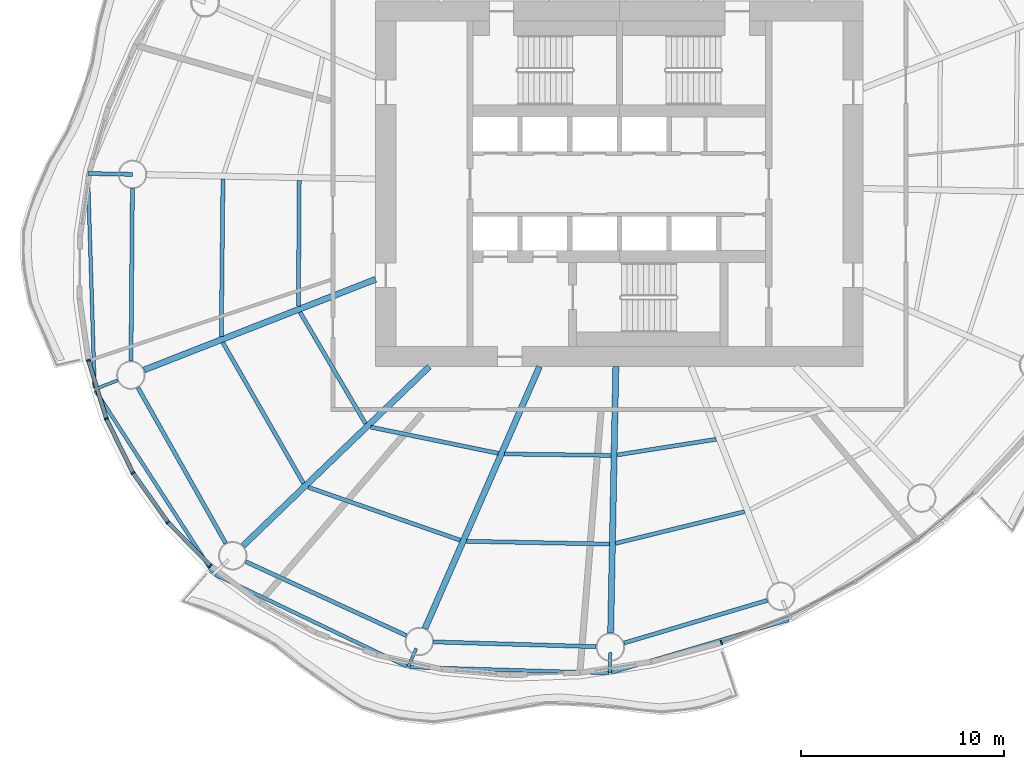
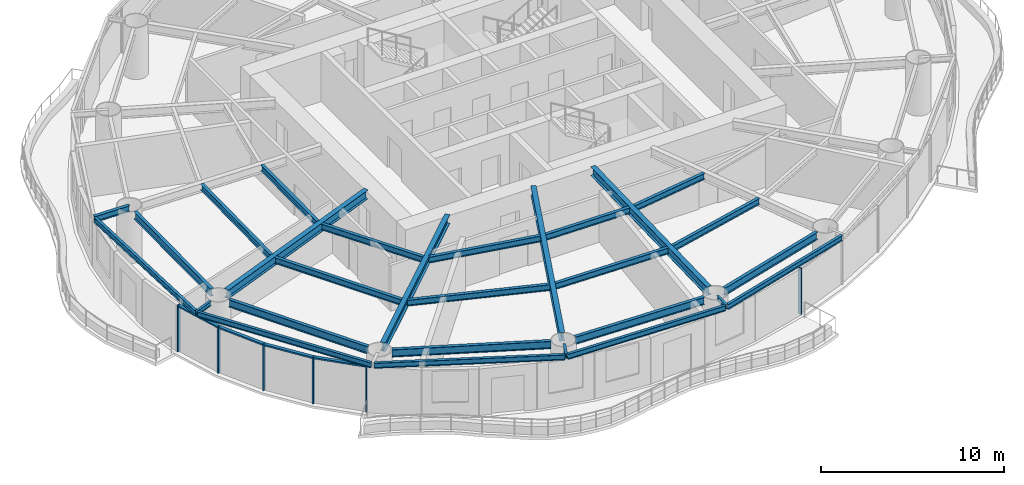
# One storey, part 2 of 14: 28 beams, 10 members, 5 elements without a shape of their own.
"""IFC4 building model written with IfcOpenShell, lengths in metres."""

import ifcopenshell
import ifcopenshell.guid

model = None  # the IFC model being written
_history = None  # IfcOwnerHistory: only IFC2X3 demands one
_inside = {}  # id of a spatial element -> (the spatial element, [elements in it])
_under = {}  # id of a project, library or spatial element -> (it, [spatial elements below it])
_declared = {}  # id of a project -> (the project, [libraries it declares])
_typed = {}  # id of a type object -> (the type object, [elements of that type])
_made_of = {}  # id of a material, layer set ... -> (it, [elements and type objects made of it])


def new_model(schema):
    """Start an empty IFC model of exactly this schema.

    Asked for "IFC4X3", IfcOpenShell would pick the latest addendum, in which some entities
    have other attributes; the version numbers below select the first issue.
    IFC2X3 requires an IfcOwnerHistory on every rooted entity: one is made here for all.
    """
    global model, _history
    if schema == "IFC4X3":
        model = ifcopenshell.file(schema_version=(4, 3, 0, 0))
    else:
        model = ifcopenshell.file(schema=schema)
    _inside.clear()
    _under.clear()
    _declared.clear()
    _typed.clear()
    _made_of.clear()
    _history = None
    if model.schema == "IFC2X3":
        org = make("IfcOrganization", Name="unknown")
        user = make(
            "IfcPersonAndOrganization",
            ThePerson=make("IfcPerson", FamilyName="unknown"),
            TheOrganization=org,
        )
        app = make(
            "IfcApplication",
            ApplicationDeveloper=org,
            Version="unknown",
            ApplicationFullName="unknown",
            ApplicationIdentifier="unknown",
        )
        _history = make(
            "IfcOwnerHistory",
            OwningUser=user,
            OwningApplication=app,
            ChangeAction="ADDED",
            CreationDate=0,
        )
    return model


def make(cls, **values):
    """One entity of the class cls with the attributes given. An attribute that is None is left unset."""
    return model.create_entity(
        cls, **{name: value for name, value in values.items() if value is not None}
    )


def rooted(cls, **values):
    """An entity with a GlobalId (a new one), such as an element, a storey or a relation."""
    return make(cls, GlobalId=ifcopenshell.guid.new(), OwnerHistory=_history, **values)


def si_unit(unit_type, name, prefix=None):
    """IfcSIUnit, for example si_unit("LENGTHUNIT", "METRE", prefix="MILLI")."""
    return make("IfcSIUnit", UnitType=unit_type, Prefix=prefix, Name=name)


def assignment(units):
    """IfcUnitAssignment: the units of a project."""
    return None if units is None else make("IfcUnitAssignment", Units=units)


def point(xyz):
    """IfcCartesianPoint."""
    return None if xyz is None else make("IfcCartesianPoint", Coordinates=xyz)


def direction(xyz):
    """IfcDirection."""
    return None if xyz is None else make("IfcDirection", DirectionRatios=xyz)


def frame(location, z_axis=None, x_axis=None):
    """IfcAxis2Placement3D, a coordinate frame: its origin and axes. An axis left out is left unset."""
    return make(
        "IfcAxis2Placement3D",
        Location=point(location),
        Axis=direction(z_axis),
        RefDirection=direction(x_axis),
    )


def frame_2d(location, x_axis=None):
    """IfcAxis2Placement2D, a coordinate frame in the plane: its origin and x axis."""
    return make(
        "IfcAxis2Placement2D", Location=point(location), RefDirection=direction(x_axis)
    )


def origin():
    """The frame at (0, 0, 0) with its axes left unset."""
    return frame((0.0, 0.0, 0.0))


def origin_2d():
    """The frame at (0, 0) in the plane with its x axis left unset."""
    return frame_2d((0.0, 0.0))


def place(relative_to, where):
    """IfcLocalPlacement: puts the frame where relative to a parent placement (None: the world)."""
    return make(
        "IfcLocalPlacement", PlacementRelTo=relative_to, RelativePlacement=where
    )


def context(
    kind, dimensions, precision=None, world=None, true_north=None, identifier=None
):
    """IfcGeometricRepresentationContext, for example the 3D "Model" context."""
    return make(
        "IfcGeometricRepresentationContext",
        ContextIdentifier=identifier,
        ContextType=kind,
        CoordinateSpaceDimension=dimensions,
        Precision=precision,
        WorldCoordinateSystem=world,
        TrueNorth=true_north,
    )


def subcontext(parent, identifier, kind, view, scale=None):
    """IfcGeometricRepresentationSubContext, for example "Body" below "Model"."""
    return make(
        "IfcGeometricRepresentationSubContext",
        ContextIdentifier=identifier,
        ContextType=kind,
        ParentContext=parent,
        TargetScale=scale,
        TargetView=view,
    )


def project(units=None, contexts=None):
    """IfcProject with its units and contexts."""
    return rooted(
        "IfcProject",
        Name="project",
        RepresentationContexts=contexts,
        UnitsInContext=assignment(units),
    )


def spatial(cls, under=None, at=None, **own):
    """A site, building, storey or space (cls), placed at a placement, below another one or the project."""
    s = rooted(cls, ObjectPlacement=at, **own)
    if under is not None:
        _under.setdefault(under.id(), (under, []))[1].append(s)
    return s


def profile(cls, at=None, kind="AREA", **sizes):
    """A parametric profile (cls). Its sizes go by their IFC names, for example OverallWidth=200.0."""
    return make(cls, ProfileType=kind, Position=at, **sizes)


def rectangle(**sizes):
    """IfcRectangleProfileDef."""
    return profile("IfcRectangleProfileDef", **sizes)


def i_section(**sizes):
    """IfcIShapeProfileDef."""
    return profile("IfcIShapeProfileDef", **sizes)


def extrude(swept, where, along, depth):
    """IfcExtrudedAreaSolid: the profile swept, set in the frame where, extruded along a direction by depth."""
    return make(
        "IfcExtrudedAreaSolid",
        SweptArea=swept,
        Position=where,
        ExtrudedDirection=direction(along),
        Depth=depth,
    )


def shape(context_of_items, identifier, shape_type, items):
    """IfcShapeRepresentation: the items that make up one representation, for example the "Body"."""
    return make(
        "IfcShapeRepresentation",
        ContextOfItems=context_of_items,
        RepresentationIdentifier=identifier,
        RepresentationType=shape_type,
        Items=items,
    )


def material(Name=None, Category=None):
    """IfcMaterial."""
    return make("IfcMaterial", Name=Name, Category=Category)


def material_profile(
    of_material, cross_section, Name=None, Category=None, Priority=None
):
    """IfcMaterialProfile: a cross section and its material."""
    return make(
        "IfcMaterialProfile",
        Name=Name,
        Material=of_material,
        Profile=cross_section,
        Priority=Priority,
        Category=Category,
    )


def profile_set(profiles, Name=None, composite=None):
    """IfcMaterialProfileSet."""
    return make(
        "IfcMaterialProfileSet",
        Name=Name,
        MaterialProfiles=profiles,
        CompositeProfile=composite,
    )


def made_of(thing, what):
    """Note that an element or type object is made of a material, layer set ...; save() writes the relation."""
    if what is not None:
        _made_of.setdefault(what.id(), (what, []))[1].append(thing)
    return thing


def type_object(cls, material=None, **own):
    """A type object (cls), such as IfcWallType, which elements share."""
    return made_of(rooted(cls, **own), material)


def element(
    cls,
    number,
    at=None,
    inside=None,
    cuts=None,
    type_object=None,
    material=None,
    context=None,
    identifier="Body",
    shape_type=None,
    held_by="IfcProductDefinitionShape",
    body=None,
    shapes=None,
    **own,
):
    """One element of the class cls, such as IfcWall. Its Tag is "e" and its number.

    at: its placement. inside: the storey or other place that contains it. cuts: it is an
    opening in that element (IfcRelVoidsElement). A single representation is given by context,
    identifier, shape_type and body (its items); several are given by shapes. held_by: the class
    of the entity that holds the representations. save() writes the other relations.
    """
    e = rooted(cls, Tag="e%d" % number, ObjectPlacement=at, **own)
    if body is not None:
        shapes = [shape(context, identifier, shape_type, body)]
    if shapes is not None:
        e.Representation = make(held_by, Representations=shapes)
    if inside is not None:
        _inside.setdefault(inside.id(), (inside, []))[1].append(e)
    if cuts is not None:
        rooted(
            "IfcRelVoidsElement", RelatingBuildingElement=cuts, RelatedOpeningElement=e
        )
    if type_object is not None:
        _typed.setdefault(type_object.id(), (type_object, []))[1].append(e)
    return made_of(e, material)


def aggregate(whole, parts):
    """IfcRelAggregates: a whole, such as a stair, and the parts it consists of."""
    return rooted("IfcRelAggregates", RelatingObject=whole, RelatedObjects=parts)


def save(model, path):
    """Write the relations noted so far, then the file.

    IfcRelAggregates (storeys below a building ...), IfcRelContainedInSpatialStructure (elements
    in a storey), IfcRelDefinesByType, IfcRelAssociatesMaterial and IfcRelDeclares: one each for
    every whole, place, type object, material and project.
    """
    for whole, parts in _under.values():
        aggregate(whole, parts)
    for where, things in _inside.values():
        rooted(
            "IfcRelContainedInSpatialStructure",
            RelatedElements=things,
            RelatingStructure=where,
        )
    for kind, things in _typed.values():
        rooted("IfcRelDefinesByType", RelatedObjects=things, RelatingType=kind)
    for what, things in _made_of.values():
        rooted("IfcRelAssociatesMaterial", RelatedObjects=things, RelatingMaterial=what)
    for by, libraries in _declared.values():
        rooted("IfcRelDeclares", RelatingContext=by, RelatedDefinitions=libraries)
    model.write(path)


model = new_model("IFC4")

# Units and contexts
model_context = context("Model", 3, precision=1e-05, world=origin(), true_north=direction((0.0, 1.0)))
body_context = subcontext(model_context, "Body", "Model", "MODEL_VIEW")
ifc_project = project(units=[si_unit("LENGTHUNIT", "METRE"), si_unit("AREAUNIT", "SQUARE_METRE"), si_unit("VOLUMEUNIT", "CUBIC_METRE"), si_unit("PLANEANGLEUNIT", "RADIAN"), si_unit("MASSUNIT", "GRAM", prefix="KILO")], contexts=[model_context])

# Site, building, storey
site_placement = place(None, origin())
site = spatial("IfcSite", under=ifc_project, at=site_placement, CompositionType="ELEMENT")
building_placement = place(site_placement, origin())
building = spatial("IfcBuilding", under=site, at=building_placement, Name="Vermilion Reach Broadcast Tower", CompositionType="ELEMENT")
storey_placement = place(building_placement, frame((0.0, 0.0, 157.800048828125)))
storey = spatial("IfcBuildingStorey", under=building, at=storey_placement, Name="L37", CompositionType="ELEMENT", Elevation=157.800048828125)

# Beams
ifc_material_1 = material(Name="Steel S355J2", Category="steel")
ifc_material_profile_1 = material_profile(ifc_material_1, i_section(OverallWidth=0.175048828125, OverallDepth=0.35009765625, WebThickness=0.007080078125, FlangeThickness=0.010986328125, at=origin_2d()), Name="S355J2 HN 350x175x7x11")
ifc_profile_set_1 = profile_set([ifc_material_profile_1], Name="Steel S355J2")
beam_type_1 = type_object("IfcBeamType", Name="EB3 HN 350x175x7x11", PredefinedType="BEAM", material=ifc_profile_set_1)
beam_1_placement = place(storey_placement, frame((-32.15087890625, 0.40673828125, 3.27490234375), z_axis=(0.031222349164, -0.99951246361, 0.0), x_axis=(0.99951246361, 0.031222349164, 0.0)))
element("IfcBeam", 1, at=beam_1_placement, inside=storey, type_object=beam_type_1, Name="Edge beam EB3-07", PredefinedType="BEAM", context=body_context, shape_type="SweptSolid", body=[
    extrude(i_section(OverallWidth=0.175048828125, OverallDepth=0.35009765625, WebThickness=0.007080078125, FlangeThickness=0.010986328125, at=origin_2d()), origin(), (0.0, 0.0, 1.0), 10.44677734375),
])
beam_2_placement = place(storey_placement, frame((-31.78076171875, -10.1787109375, 3.27490234375), z_axis=(0.542314647687, -0.840175471497, 0.0), x_axis=(0.840175471497, 0.542314647687, 0.0)))
element("IfcBeam", 2, at=beam_2_placement, inside=storey, type_object=beam_type_1, Name="Edge beam EB3-08", PredefinedType="BEAM", context=body_context, shape_type="SweptSolid", body=[
    extrude(i_section(OverallWidth=0.175048828125, OverallDepth=0.35009765625, WebThickness=0.007080078125, FlangeThickness=0.010986328125, at=origin_2d()), origin(), (0.0, 0.0, 1.0), 10.660400390625),
])
beam_3_placement = place(storey_placement, frame((-25.885986328125, -19.234130859375, 3.27490234375), z_axis=(0.901823995438, -0.432103553853, 0.0), x_axis=(0.432103553853, 0.901823995438, 0.0)))
element("IfcBeam", 3, at=beam_3_placement, inside=storey, type_object=beam_type_1, Name="Edge beam EB3-09", PredefinedType="BEAM", context=body_context, shape_type="SweptSolid", body=[
    extrude(i_section(OverallWidth=0.175048828125, OverallDepth=0.35009765625, WebThickness=0.007080078125, FlangeThickness=0.010986328125, at=origin_2d()), origin(), (0.0, 0.0, 1.0), 10.44921875),
])
beam_4_placement = place(storey_placement, frame((-16.31396484375, -23.783935546875, 3.27490234375), z_axis=(0.999559862567, -0.029666161605, 0.0), x_axis=(0.029666161605, 0.999559862567, 0.0)))
element("IfcBeam", 4, at=beam_4_placement, inside=storey, type_object=beam_type_1, Name="Edge beam EB3-10", PredefinedType="BEAM", context=body_context, shape_type="SweptSolid", body=[
    extrude(i_section(OverallWidth=0.175048828125, OverallDepth=0.35009765625, WebThickness=0.007080078125, FlangeThickness=0.010986328125, at=origin_2d()), origin(), (0.0, 0.0, 1.0), 9.77685546875),
])
beam_5_placement = place(storey_placement, frame((-6.39111328125, -24.0537109375, 3.27490234375), z_axis=(0.958570041505, 0.284856938707, 0.0), x_axis=(-0.284856938707, 0.958570041505, 0.0)))
element("IfcBeam", 5, at=beam_5_placement, inside=storey, type_object=beam_type_1, Name="Edge beam EB3-11", PredefinedType="BEAM", context=body_context, shape_type="SweptSolid", body=[
    extrude(i_section(OverallWidth=0.175048828125, OverallDepth=0.35009765625, WebThickness=0.007080078125, FlangeThickness=0.010986328125, at=origin_2d()), origin(), (0.0, 0.0, 1.0), 9.09423828125),
])
ifc_material_2 = material(Name="Steel S355J2", Category="steel")
ifc_material_profile_2 = material_profile(ifc_material_2, i_section(OverallWidth=0.300048828125, OverallDepth=0.587890625, WebThickness=0.011962890625, FlangeThickness=0.02001953125, at=origin_2d()), Name="S355J2 HM 588x300x12x20")
ifc_profile_set_2 = profile_set([ifc_material_profile_2], Name="Steel S355J2")
beam_type_2 = type_object("IfcBeamType", Name="G3 HM 588x300x12x20", PredefinedType="BEAM", material=ifc_profile_set_2)
beam_6_placement = place(storey_placement, frame((-18.0, -4.700439453125, 3.156005859375), z_axis=(-0.931124635714, -0.364701128004, 0.0), x_axis=(0.364701128004, -0.931124635714, 0.0)))
element("IfcBeam", 6, at=beam_6_placement, inside=storey, type_object=beam_type_2, Name="Girder G3-08", PredefinedType="BEAM", context=body_context, shape_type="SweptSolid", body=[
    extrude(i_section(OverallWidth=0.300048828125, OverallDepth=0.587890625, WebThickness=0.011962890625, FlangeThickness=0.02001953125, at=origin_2d()), origin(), (0.0, 0.0, 1.0), 12.231201171875),
])
beam_7_placement = place(storey_placement, frame((-15.355712890625, -9.0, 3.156005859375), z_axis=(-0.720670374476, -0.693277874559, 0.0), x_axis=(0.693277874559, -0.720670374476, 0.0)))
element("IfcBeam", 7, at=beam_7_placement, inside=storey, type_object=beam_type_2, Name="Girder G3-09", PredefinedType="BEAM", context=body_context, shape_type="SweptSolid", body=[
    extrude(i_section(OverallWidth=0.300048828125, OverallDepth=0.587890625, WebThickness=0.011962890625, FlangeThickness=0.02001953125, at=origin_2d()), origin(), (0.0, 0.0, 1.0), 12.718505859375),
])
beam_8_placement = place(storey_placement, frame((-9.933837890625, -9.0, 3.156005859375), z_axis=(-0.400519113205, -0.916288404356, 0.0), x_axis=(0.916288404356, -0.400519113205, 0.0)))
element("IfcBeam", 8, at=beam_8_placement, inside=storey, type_object=beam_type_2, Name="Girder G3-10", PredefinedType="BEAM", context=body_context, shape_type="SweptSolid", body=[
    extrude(i_section(OverallWidth=0.300048828125, OverallDepth=0.587890625, WebThickness=0.011962890625, FlangeThickness=0.02001953125, at=origin_2d()), origin(), (0.0, 0.0, 1.0), 14.0595703125),
])
beam_9_placement = place(storey_placement, frame((-6.17431640625, -9.0, 3.156005859375), z_axis=(-0.019378372481, -0.99981222171, 0.0), x_axis=(0.99981222171, -0.019378372481, 0.0)))
element("IfcBeam", 9, at=beam_9_placement, inside=storey, type_object=beam_type_2, Name="Girder G3-11", PredefinedType="BEAM", context=body_context, shape_type="SweptSolid", body=[
    extrude(i_section(OverallWidth=0.300048828125, OverallDepth=0.587890625, WebThickness=0.011962890625, FlangeThickness=0.02001953125, at=origin_2d()), origin(), (0.0, 0.0, 1.0), 13.1025390625),
])
ifc_material_3 = material(Name="Steel S355J2", Category="steel")
ifc_material_profile_3 = material_profile(ifc_material_3, i_section(OverallWidth=0.199951171875, OverallDepth=0.39990234375, WebThickness=0.008056640625, FlangeThickness=0.012939453125, at=origin_2d()), Name="S355J2 HN 400x200x8x13")
ifc_profile_set_3 = profile_set([ifc_material_profile_3], Name="Steel S355J2")
beam_type_3 = type_object("IfcBeamType", Name="GC3 HN 400x200x8x13", PredefinedType="BEAM", material=ifc_profile_set_3)
beam_10_placement = place(storey_placement, frame((-29.95947265625, 0.464111328125, 3.25), z_axis=(-0.999810547688, 0.019464550656, 0.0), x_axis=(-0.019464550656, -0.999810547688, 0.0)))
element("IfcBeam", 10, at=beam_10_placement, inside=storey, type_object=beam_type_3, Name="Cantilever girder GC3-07", PredefinedType="BEAM", context=body_context, shape_type="SweptSolid", body=[
    extrude(i_section(OverallWidth=0.199951171875, OverallDepth=0.39990234375, WebThickness=0.008056640625, FlangeThickness=0.012939453125, at=origin_2d()), origin(), (0.0, 0.0, 1.0), 2.195068359375),
])
ifc_material_4 = material(Name="Steel S355J2", Category="steel")
ifc_material_profile_4 = material_profile(ifc_material_4, i_section(OverallWidth=0.14990234375, OverallDepth=0.300048828125, WebThickness=0.006591796875, FlangeThickness=0.009033203125, at=origin_2d()), Name="S355J2 HN 300x150x6.5x9")
ifc_profile_set_4 = profile_set([ifc_material_profile_4], Name="Steel S355J2")
beam_type_4 = type_object("IfcBeamType", Name="GS3 HN 300x150x6.5x9", PredefinedType="BEAM", material=ifc_profile_set_4)
beam_11_placement = place(storey_placement, frame((-30.6923828125, -9.671875, 3.300048828125), z_axis=(-0.931103198351, -0.364755855361, 0.0), x_axis=(0.364755855361, -0.931103198351, 0.0)))
element("IfcBeam", 11, at=beam_11_placement, inside=storey, type_object=beam_type_4, Name="Cantilever stub GS3-08", PredefinedType="BEAM", context=body_context, shape_type="SweptSolid", body=[
    extrude(i_section(OverallWidth=0.14990234375, OverallDepth=0.300048828125, WebThickness=0.006591796875, FlangeThickness=0.009033203125, at=origin_2d()), origin(), (0.0, 0.0, 1.0), 1.21337890625),
])
beam_12_placement = place(storey_placement, frame((-15.994384765625, -22.865234375, 3.300048828125), z_axis=(-0.400332168209, -0.91637009723, 0.0), x_axis=(0.91637009723, -0.400332168209, 0.0)))
element("IfcBeam", 12, at=beam_12_placement, inside=storey, type_object=beam_type_4, Name="Cantilever stub GS3-10", PredefinedType="BEAM", context=body_context, shape_type="SweptSolid", body=[
    extrude(i_section(OverallWidth=0.14990234375, OverallDepth=0.300048828125, WebThickness=0.006591796875, FlangeThickness=0.009033203125, at=origin_2d()), origin(), (0.0, 0.0, 1.0), 1.000244140625),
])
beam_13_placement = place(storey_placement, frame((-6.447021484375, -23.076416015625, 3.300048828125), z_axis=(-0.019532292583, -0.999809226576, 0.0), x_axis=(0.999809226576, -0.019532292583, 0.0)))
element("IfcBeam", 13, at=beam_13_placement, inside=storey, type_object=beam_type_4, Name="Cantilever stub GS3-11", PredefinedType="BEAM", context=body_context, shape_type="SweptSolid", body=[
    extrude(i_section(OverallWidth=0.14990234375, OverallDepth=0.300048828125, WebThickness=0.006591796875, FlangeThickness=0.009033203125, at=origin_2d()), origin(), (0.0, 0.0, 1.0), 1.0),
])
ifc_material_5 = material(Name="Steel S355J2", Category="steel")
ifc_material_profile_5 = material_profile(ifc_material_5, i_section(OverallWidth=0.199951171875, OverallDepth=0.5, WebThickness=0.010009765625, FlangeThickness=0.01611328125, at=origin_2d()), Name="S355J2 HN 500x200x10x16")
ifc_profile_set_5 = profile_set([ifc_material_profile_5], Name="Steel S355J2")
beam_type_5 = type_object("IfcBeamType", Name="RB3 HN 500x200x10x16", PredefinedType="BEAM", material=ifc_profile_set_5)
beam_14_placement = place(storey_placement, frame((-29.965087890625, -0.23583984375, 3.199951171875), z_axis=(-0.008204232036, -0.999966344722, 0.0), x_axis=(0.999966344722, -0.008204232036, 0.0)))
element("IfcBeam", 14, at=beam_14_placement, inside=storey, type_object=beam_type_5, Name="Ring beam RB3-07", PredefinedType="BEAM", context=body_context, shape_type="SweptSolid", body=[
    extrude(i_section(OverallWidth=0.199951171875, OverallDepth=0.5, WebThickness=0.010009765625, FlangeThickness=0.01611328125, at=origin_2d()), origin(), (0.0, 0.0, 1.0), 8.48095703125),
])
beam_15_placement = place(storey_placement, frame((-29.696533203125, -10.026123046875, 3.199951171875), z_axis=(0.491466825026, -0.870896296869, 0.0), x_axis=(0.870896296869, 0.491466825026, 0.0)))
element("IfcBeam", 15, at=beam_15_placement, inside=storey, type_object=beam_type_5, Name="Ring beam RB3-08", PredefinedType="BEAM", context=body_context, shape_type="SweptSolid", body=[
    extrude(i_section(OverallWidth=0.199951171875, OverallDepth=0.5, WebThickness=0.010009765625, FlangeThickness=0.01611328125, at=origin_2d()), origin(), (0.0, 0.0, 1.0), 8.803466796875),
])
beam_16_placement = place(storey_placement, frame((-24.389892578125, -18.594970703125, 3.199951171875), z_axis=(0.908546241769, -0.417784306272, 0.0), x_axis=(0.417784306272, 0.908546241769, 0.0)))
element("IfcBeam", 16, at=beam_16_placement, inside=storey, type_object=beam_type_5, Name="Ring beam RB3-09", PredefinedType="BEAM", context=body_context, shape_type="SweptSolid", body=[
    extrude(i_section(OverallWidth=0.199951171875, OverallDepth=0.5, WebThickness=0.010009765625, FlangeThickness=0.01611328125, at=origin_2d()), origin(), (0.0, 0.0, 1.0), 8.704833984375),
])
beam_17_placement = place(storey_placement, frame((-15.1455078125, -22.544677734375, 3.199951171875), z_axis=(0.999569781146, -0.029330063427, 0.0), x_axis=(0.029330063427, 0.999569781146, 0.0)))
element("IfcBeam", 17, at=beam_17_placement, inside=storey, type_object=beam_type_5, Name="Ring beam RB3-10", PredefinedType="BEAM", context=body_context, shape_type="SweptSolid", body=[
    extrude(i_section(OverallWidth=0.199951171875, OverallDepth=0.5, WebThickness=0.010009765625, FlangeThickness=0.01611328125, at=origin_2d()), origin(), (0.0, 0.0, 1.0), 8.007568359375),
])
beam_18_placement = place(storey_placement, frame((-5.770751953125, -22.60009765625, 3.199951171875), z_axis=(0.958416970322, 0.285371531516, 0.0), x_axis=(-0.285371531516, 0.958416970322, 0.0)))
element("IfcBeam", 18, at=beam_18_placement, inside=storey, type_object=beam_type_5, Name="Ring beam RB3-11", PredefinedType="BEAM", context=body_context, shape_type="SweptSolid", body=[
    extrude(i_section(OverallWidth=0.199951171875, OverallDepth=0.5, WebThickness=0.010009765625, FlangeThickness=0.01611328125, at=origin_2d()), origin(), (0.0, 0.0, 1.0), 7.357421875),
])
ifc_material_6 = material(Name="Steel S355J2", Category="steel")
ifc_material_profile_6 = material_profile(ifc_material_6, i_section(OverallWidth=0.199951171875, OverallDepth=0.39990234375, WebThickness=0.008056640625, FlangeThickness=0.012939453125, at=origin_2d()), Name="S355J2 HN 400x200x8x13")
ifc_profile_set_6 = profile_set([ifc_material_profile_6], Name="Steel S355J2")
beam_type_6 = type_object("IfcBeamType", Name="SB3 HN 400x200x8x13", PredefinedType="BEAM", material=ifc_profile_set_6)
beam_19_placement = place(storey_placement, frame((-21.754150390625, 0.1552734375, 3.25), z_axis=(-0.006635449147, -0.999977985165, 0.0), x_axis=(0.999977985165, -0.006635449147, 0.0)))
element("IfcBeam", 19, at=beam_19_placement, inside=storey, type_object=beam_type_6, Name="Secondary beam SB3-07-1", PredefinedType="BEAM", context=body_context, shape_type="SweptSolid", body=[
    extrude(i_section(OverallWidth=0.199951171875, OverallDepth=0.39990234375, WebThickness=0.008056640625, FlangeThickness=0.012939453125, at=origin_2d()), origin(), (0.0, 0.0, 1.0), 6.181396484375),
])
beam_20_placement = place(storey_placement, frame((-25.508056640625, 0.22802734375, 3.25), z_axis=(-0.010691708672, -0.999942842049, 0.0), x_axis=(0.999942842049, -0.010691708672, 0.0)))
element("IfcBeam", 20, at=beam_20_placement, inside=storey, type_object=beam_type_6, Name="Secondary beam SB3-07-2", PredefinedType="BEAM", context=body_context, shape_type="SweptSolid", body=[
    extrude(i_section(OverallWidth=0.199951171875, OverallDepth=0.39990234375, WebThickness=0.008056640625, FlangeThickness=0.012939453125, at=origin_2d()), origin(), (0.0, 0.0, 1.0), 7.740966796875),
])
beam_21_placement = place(storey_placement, frame((-21.71923828125, -6.318115234375, 3.25), z_axis=(0.507249643612, -0.861799163991, 0.0), x_axis=(0.861799163991, 0.507249643612, 0.0)))
element("IfcBeam", 21, at=beam_21_placement, inside=storey, type_object=beam_type_6, Name="Secondary beam SB3-08-1", PredefinedType="BEAM", context=body_context, shape_type="SweptSolid", body=[
    extrude(i_section(OverallWidth=0.199951171875, OverallDepth=0.39990234375, WebThickness=0.008056640625, FlangeThickness=0.012939453125, at=origin_2d()), origin(), (0.0, 0.0, 1.0), 6.3681640625),
])
beam_22_placement = place(storey_placement, frame((-25.51708984375, -7.805908203125, 3.25), z_axis=(0.497026503115, -0.867735360119, 0.0), x_axis=(0.867735360119, 0.497026503115, 0.0)))
element("IfcBeam", 22, at=beam_22_placement, inside=storey, type_object=beam_type_6, Name="Secondary beam SB3-08-2", PredefinedType="BEAM", context=body_context, shape_type="SweptSolid", body=[
    extrude(i_section(OverallWidth=0.199951171875, OverallDepth=0.39990234375, WebThickness=0.008056640625, FlangeThickness=0.012939453125, at=origin_2d()), origin(), (0.0, 0.0, 1.0), 7.995849609375),
])
beam_23_placement = place(storey_placement, frame((-18.232666015625, -11.975830078125, 3.25), z_axis=(0.97956765607, -0.201114910391, 0.0), x_axis=(0.201114910391, 0.97956765607, 0.0)))
element("IfcBeam", 23, at=beam_23_placement, inside=storey, type_object=beam_type_6, Name="Secondary beam SB3-09-1", PredefinedType="BEAM", context=body_context, shape_type="SweptSolid", body=[
    extrude(i_section(OverallWidth=0.199951171875, OverallDepth=0.39990234375, WebThickness=0.008056640625, FlangeThickness=0.012939453125, at=origin_2d()), origin(), (0.0, 0.0, 1.0), 6.40234375),
])
beam_24_placement = place(storey_placement, frame((-21.307373046875, -14.93359375, 3.25), z_axis=(0.94431696779, -0.329037177754, 0.0), x_axis=(0.329037177754, 0.94431696779, 0.0)))
element("IfcBeam", 24, at=beam_24_placement, inside=storey, type_object=beam_type_6, Name="Secondary beam SB3-09-2", PredefinedType="BEAM", context=body_context, shape_type="SweptSolid", body=[
    extrude(i_section(OverallWidth=0.199951171875, OverallDepth=0.39990234375, WebThickness=0.008056640625, FlangeThickness=0.012939453125, at=origin_2d()), origin(), (0.0, 0.0, 1.0), 7.91845703125),
])
beam_25_placement = place(storey_placement, frame((-11.648193359375, -13.29638671875, 3.25), z_axis=(0.999914891843, -0.013046419838, 0.0), x_axis=(0.013046419838, 0.999914891843, 0.0)))
element("IfcBeam", 25, at=beam_25_placement, inside=storey, type_object=beam_type_6, Name="Secondary beam SB3-10-1", PredefinedType="BEAM", context=body_context, shape_type="SweptSolid", body=[
    extrude(i_section(OverallWidth=0.199951171875, OverallDepth=0.39990234375, WebThickness=0.008056640625, FlangeThickness=0.012939453125, at=origin_2d()), origin(), (0.0, 0.0, 1.0), 5.23974609375),
])
beam_26_placement = place(storey_placement, frame((-13.525634765625, -17.591552734375, 3.25), z_axis=(0.999804929321, -0.019751033045, 0.0), x_axis=(0.019751033045, 0.999804929321, 0.0)))
element("IfcBeam", 26, at=beam_26_placement, inside=storey, type_object=beam_type_6, Name="Secondary beam SB3-10-2", PredefinedType="BEAM", context=body_context, shape_type="SweptSolid", body=[
    extrude(i_section(OverallWidth=0.199951171875, OverallDepth=0.39990234375, WebThickness=0.008056640625, FlangeThickness=0.012939453125, at=origin_2d()), origin(), (0.0, 0.0, 1.0), 7.033447265625),
])
beam_27_placement = place(storey_placement, frame((-6.1083984375, -13.343017578125, 3.25), z_axis=(0.987756142208, 0.15600578044, 0.0), x_axis=(-0.15600578044, 0.987756142208, 0.0)))
element("IfcBeam", 27, at=beam_27_placement, inside=storey, type_object=beam_type_6, Name="Secondary beam SB3-11-1", PredefinedType="BEAM", context=body_context, shape_type="SweptSolid", body=[
    extrude(i_section(OverallWidth=0.199951171875, OverallDepth=0.39990234375, WebThickness=0.008056640625, FlangeThickness=0.012939453125, at=origin_2d()), origin(), (0.0, 0.0, 1.0), 4.9326171875),
])
beam_28_placement = place(storey_placement, frame((-6.19287109375, -17.6962890625, 3.25), z_axis=(0.971111691931, 0.238625400566, 0.0), x_axis=(-0.238625400566, 0.971111691931, 0.0)))
element("IfcBeam", 28, at=beam_28_placement, inside=storey, type_object=beam_type_6, Name="Secondary beam SB3-11-2", PredefinedType="BEAM", context=body_context, shape_type="SweptSolid", body=[
    extrude(i_section(OverallWidth=0.199951171875, OverallDepth=0.39990234375, WebThickness=0.008056640625, FlangeThickness=0.012939453125, at=origin_2d()), origin(), (0.0, 0.0, 1.0), 6.540771484375),
])

# Curtain wall, member
ifc_material_7 = material(Name="Low-e laminated clear glass in aluminium frame", Category="aluminium")
curtain_wall_type = type_object("IfcCurtainWallType", Name="Slot curtain wall", PredefinedType="NOTDEFINED", material=ifc_material_7)
placement = place(storey_placement, origin())
curtain_wall_1 = element("IfcCurtainWall", 29, at=placement, inside=storey, type_object=curtain_wall_type, Name="Slot curtain wall L37 22", PredefinedType="NOTDEFINED")
ifc_material_8 = material(Name="Anodised aluminium", Category="aluminium")
ifc_material_profile_7 = material_profile(ifc_material_8, rectangle(XDim=0.199951171875, YDim=0.080078125, at=origin_2d()), Name="Slot mullion 80 x 200")
ifc_profile_set_7 = profile_set([ifc_material_profile_7], Name="Anodised aluminium")
member_type_1 = type_object("IfcMemberType", Name="Slot mullion 80 x 200", PredefinedType="MULLION", material=ifc_profile_set_7)
member_1_placement = place(storey_placement, frame((-32.126708984375, -8.6904296875, 0.0), z_axis=(0.0, 0.0, 1.0), x_axis=(0.975739172144, 0.218936218893, 0.0)))
member_1 = element("IfcMember", 30, at=member_1_placement, type_object=member_type_1, Name="Slot mullion L37 22", PredefinedType="MULLION", context=body_context, shape_type="SweptSolid", body=[
    extrude(rectangle(XDim=0.199951171875, YDim=0.080078125, at=origin_2d()), origin(), (0.0, 0.0, 1.0), 3.099853515625),
])

curtain_wall_2 = element("IfcCurtainWall", 31, at=placement, inside=storey, type_object=curtain_wall_type, Name="Slot curtain wall L37 23", PredefinedType="NOTDEFINED")
member_2_placement = place(storey_placement, frame((-31.24658203125, -11.555908203125, 0.0), z_axis=(0.0, 0.0, 1.0), x_axis=(0.92970504298, 0.368304945741, 0.0)))
member_2 = element("IfcMember", 32, at=member_2_placement, type_object=member_type_1, Name="Slot mullion L37 23", PredefinedType="MULLION", context=body_context, shape_type="SweptSolid", body=[
    extrude(rectangle(XDim=0.199951171875, YDim=0.080078125, at=origin_2d()), origin(), (0.0, 0.0, 1.0), 3.099853515625),
])

curtain_wall_3 = element("IfcCurtainWall", 33, at=placement, inside=storey, type_object=curtain_wall_type, Name="Slot curtain wall L37 24", PredefinedType="NOTDEFINED")
member_3_placement = place(storey_placement, frame((-29.936767578125, -14.223876953125, 0.0), z_axis=(0.0, 0.0, 1.0), x_axis=(0.859674003255, 0.510843036682, 0.0)))
member_3 = element("IfcMember", 34, at=member_3_placement, type_object=member_type_1, Name="Slot mullion L37 24", PredefinedType="MULLION", context=body_context, shape_type="SweptSolid", body=[
    extrude(rectangle(XDim=0.199951171875, YDim=0.080078125, at=origin_2d()), origin(), (0.0, 0.0, 1.0), 3.099853515625),
])

# Curtain wall, members
curtain_wall_4 = element("IfcCurtainWall", 35, at=placement, inside=storey, type_object=curtain_wall_type, Name="Slot curtain wall L37 25", PredefinedType="NOTDEFINED")
member_4_placement = place(storey_placement, frame((-28.219482421875, -16.64990234375, 0.0), z_axis=(0.0, 0.0, 1.0), x_axis=(0.767960758925, 0.640496895192, 0.0)))
member_4 = element("IfcMember", 36, at=member_4_placement, type_object=member_type_1, Name="Slot mullion L37 25", PredefinedType="MULLION", context=body_context, shape_type="SweptSolid", body=[
    extrude(rectangle(XDim=0.199951171875, YDim=0.080078125, at=origin_2d()), origin(), (0.0, 0.0, 1.0), 3.099853515625),
])
member_5_placement = place(storey_placement, frame((-26.12353515625, -18.79296875, 0.0), z_axis=(0.0, 0.0, 1.0), x_axis=(0.65877556675, 0.752339519534, 0.0)))
member_5 = element("IfcMember", 37, at=member_5_placement, type_object=member_type_1, Name="Slot mullion L37 26", PredefinedType="MULLION", context=body_context, shape_type="SweptSolid", body=[
    extrude(rectangle(XDim=0.199951171875, YDim=0.080078125, at=origin_2d()), origin(), (0.0, 0.0, 1.0), 3.099853515625),
])

# Curtain wall, member
curtain_wall_5 = element("IfcCurtainWall", 38, at=placement, inside=storey, type_object=curtain_wall_type, Name="Slot curtain wall L37 34", PredefinedType="NOTDEFINED")
member_6_placement = place(storey_placement, frame((-0.9765625, -22.5869140625, 0.0), z_axis=(0.0, 0.0, 1.0), x_axis=(-0.314307335614, 0.949321283223, 0.0)))
member_6 = element("IfcMember", 39, at=member_6_placement, type_object=member_type_1, Name="Slot mullion L37 34", PredefinedType="MULLION", context=body_context, shape_type="SweptSolid", body=[
    extrude(rectangle(XDim=0.199951171875, YDim=0.080078125, at=origin_2d()), origin(), (0.0, 0.0, 1.0), 3.099853515625),
])
aggregate(curtain_wall_5, [member_6])

# Member
ifc_material_9 = material(Name="Anodised aluminium", Category="aluminium")
ifc_material_profile_8 = material_profile(ifc_material_9, rectangle(XDim=0.199951171875, YDim=0.10009765625, at=origin_2d()), Name="Slot transom 200 x 100")
ifc_profile_set_8 = profile_set([ifc_material_profile_8], Name="Anodised aluminium")
member_type_2 = type_object("IfcMemberType", Name="Slot transom 200 x 100", PredefinedType="USERDEFINED", material=ifc_profile_set_8)
member_7_placement = place(storey_placement, frame((-32.114990234375, -8.728515625, 3.050048828125), z_axis=(0.29362129573, -0.955921824572, 0.0), x_axis=(0.955921824572, 0.29362129573, 0.0)))
member_7 = element("IfcMember", 40, at=member_7_placement, type_object=member_type_2, Name="Slot transom L37 22.1", ObjectType="TRANSOM", PredefinedType="USERDEFINED", context=body_context, shape_type="SweptSolid", body=[
    extrude(rectangle(XDim=0.199951171875, YDim=0.10009765625, at=origin_2d()), origin(), (0.0, 0.0, 1.0), 2.917724609375),
])

aggregate(curtain_wall_1, [member_1, member_7])

member_8_placement = place(storey_placement, frame((-31.228759765625, -11.591796875, 3.050048828125), z_axis=(0.440650928456, -0.897678538927, 0.0), x_axis=(0.897678538927, 0.440650928456, 0.0)))
member_8 = element("IfcMember", 41, at=member_8_placement, type_object=member_type_2, Name="Slot transom L37 23.1", ObjectType="TRANSOM", PredefinedType="USERDEFINED", context=body_context, shape_type="SweptSolid", body=[
    extrude(rectangle(XDim=0.199951171875, YDim=0.10009765625, at=origin_2d()), origin(), (0.0, 0.0, 1.0), 2.89208984375),
])

aggregate(curtain_wall_2, [member_2, member_8])

member_9_placement = place(storey_placement, frame((-29.91357421875, -14.256591796875, 3.050048828125), z_axis=(0.577743273278, -0.81621854315, 0.0), x_axis=(0.81621854315, 0.577743273278, 0.0)))
member_9 = element("IfcMember", 42, at=member_9_placement, type_object=member_type_2, Name="Slot transom L37 24.1", ObjectType="TRANSOM", PredefinedType="USERDEFINED", context=body_context, shape_type="SweptSolid", body=[
    extrude(rectangle(XDim=0.199951171875, YDim=0.10009765625, at=origin_2d()), origin(), (0.0, 0.0, 1.0), 2.89208984375),
])

aggregate(curtain_wall_3, [member_3, member_9])

member_10_placement = place(storey_placement, frame((-28.191650390625, -16.678466796875, 3.050048828125), z_axis=(0.69923930904, -0.714887675578, 0.0), x_axis=(0.714887675578, 0.69923930904, 0.0)))
member_10 = element("IfcMember", 43, at=member_10_placement, type_object=member_type_2, Name="Slot transom L37 25.1", ObjectType="TRANSOM", PredefinedType="USERDEFINED", context=body_context, shape_type="SweptSolid", body=[
    extrude(rectangle(XDim=0.199951171875, YDim=0.10009765625, at=origin_2d()), origin(), (0.0, 0.0, 1.0), 2.91748046875),
])

aggregate(curtain_wall_4, [member_4, member_5, member_10])

save(model, "model.ifc")
